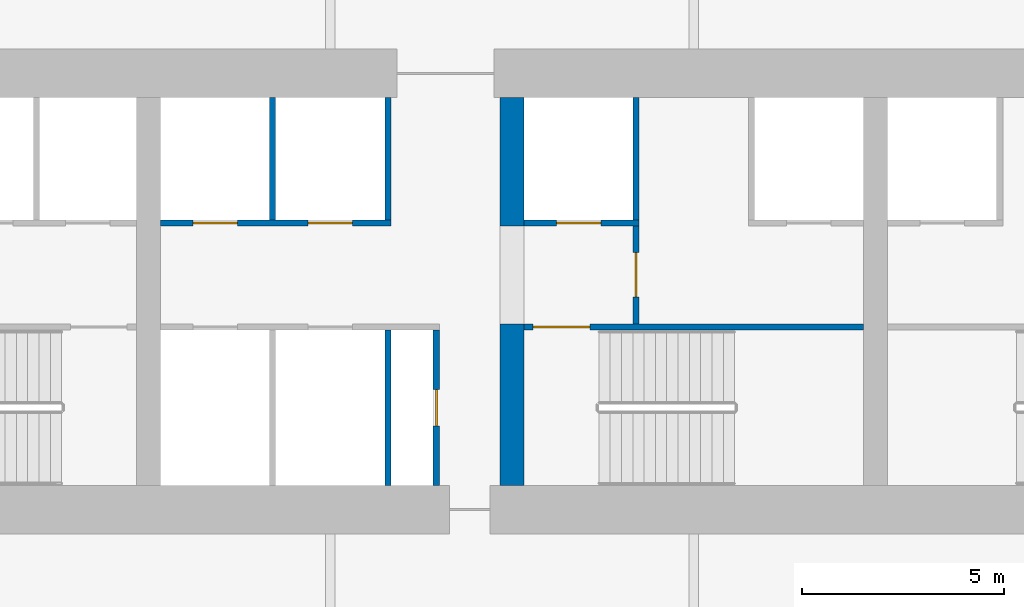
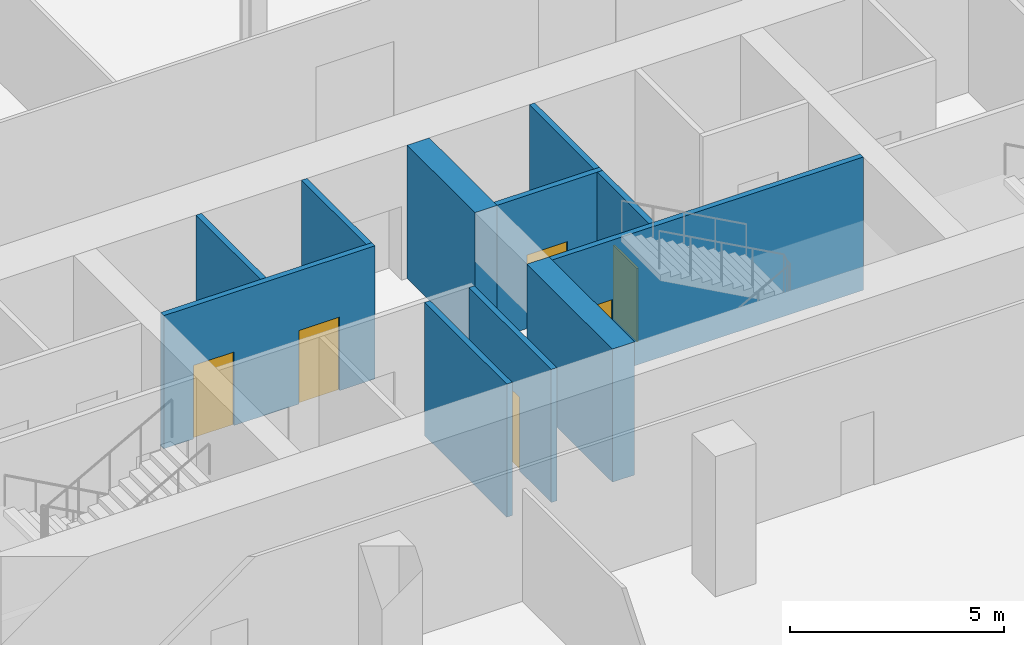
# One storey, part 4 of 11: 11 walls, 6 doors, 6 openings.
"""IFC4 building model written with IfcOpenShell, lengths in metres."""

from ifc_helpers import new_model, si_unit, direction, frame, frame_2d, origin, place, context, subcontext, project, spatial, rectangle, extrude, material, layer, layer_set, type_object, element, fill, save


model = new_model("IFC4")

# Units and contexts
model_context = context("Model", 3, precision=1e-05, world=origin(), true_north=direction((0.0, 1.0)))
body_context = subcontext(model_context, "Body", "Model", "MODEL_VIEW")
ifc_project = project(units=[si_unit("LENGTHUNIT", "METRE"), si_unit("AREAUNIT", "SQUARE_METRE"), si_unit("VOLUMEUNIT", "CUBIC_METRE"), si_unit("PLANEANGLEUNIT", "RADIAN"), si_unit("MASSUNIT", "GRAM", prefix="KILO")], contexts=[model_context])

# Site, building, storey
site_placement = place(None, origin())
site = spatial("IfcSite", under=ifc_project, at=site_placement, CompositionType="ELEMENT")
building_placement = place(site_placement, origin())
building = spatial("IfcBuilding", under=site, at=building_placement, Name="Zellij Exchange Tower", CompositionType="ELEMENT")
storey_placement = place(building_placement, frame((0.0, 0.0, 72.5)))
storey = spatial("IfcBuildingStorey", under=building, at=storey_placement, Name="L14", CompositionType="ELEMENT", Elevation=72.5)

# Walls
ifc_material_1 = material(Name="Concrete C70/85", Category="concrete")
ifc_layer_1 = layer(ifc_material_1, 0.60009765625)
ifc_layer_set_1 = layer_set([ifc_layer_1], Name="Concrete C70/85")
wall_type_1 = type_object("IfcWallType", Name="CORE-CW 600 C70/85", PredefinedType="SHEAR", material=ifc_layer_set_1)
wall_1_placement = place(storey_placement, frame((-9.0, -12.800048828125, 0.0), z_axis=(0.0, 0.0, 1.0), x_axis=(0.0, 1.0, 0.0)))
element("IfcWall", 1, at=wall_1_placement, inside=storey, type_object=wall_type_1, Name="Core cross wall pier x -9 a L14", PredefinedType="SHEAR", context=body_context, shape_type="SweptSolid", body=[
    extrude(rectangle(XDim=4.0, YDim=0.60009765625, at=frame_2d((2.0, 0.0))), origin(), (0.0, 0.0, 1.0), 3.800048828125),
])
wall_2_placement = place(storey_placement, frame((-9.0, -6.375, 0.0), z_axis=(0.0, 0.0, 1.0), x_axis=(0.0, 1.0, 0.0)))
element("IfcWall", 2, at=wall_2_placement, inside=storey, type_object=wall_type_1, Name="Core cross wall pier x -9 b L14", PredefinedType="SHEAR", context=body_context, shape_type="SweptSolid", body=[
    extrude(rectangle(XDim=3.175048828125, YDim=0.60009765625, at=frame_2d((1.58740234375, 0.0))), origin(), (0.0, 0.0, 1.0), 3.800048828125),
])

# Wall, opening, door
ifc_material_2 = material(Name="Gypsum shaft wall system")
ifc_layer_2 = layer(ifc_material_2, 0.14990234375)
ifc_layer_set_2 = layer_set([ifc_layer_2], Name="Gypsum shaft wall system")
wall_type_2 = type_object("IfcWallType", Name="CORE-PW 150 Firefighting lobby wall", PredefinedType="PARTITIONING", material=ifc_layer_set_2)
wall_3_placement = place(storey_placement, frame((-5.925048828125, -8.800048828125, 0.0), z_axis=(0.0, 0.0, 1.0), x_axis=(0.0, 1.0, 0.0)))
wall_3 = element("IfcWall", 3, at=wall_3_placement, inside=storey, type_object=wall_type_2, Name="Firefighting lobby wall L14", PredefinedType="PARTITIONING", context=body_context, shape_type="SweptSolid", body=[
    extrude(rectangle(XDim=2.425048828125, YDim=0.14990234375, at=frame_2d((1.21240234375, 0.0))), origin(), (0.0, 0.0, 1.0), 3.800048828125),
])
opening_1_placement = place(wall_3_placement, frame((0.662109375, 0.0, 0.0)))
opening_1 = element("IfcOpeningElement", 4, at=opening_1_placement, cuts=wall_3, Name="Opening CA-08.15", PredefinedType="OPENING", context=body_context, shape_type="SweptSolid", body=[
    extrude(rectangle(XDim=1.10009765625, YDim=2.10009765625, at=frame_2d((0.550048828125, 1.050048828125))), frame((0.0, 0.0869140625, 0.0), z_axis=(0.0, -1.0, 0.0), x_axis=(1.0, 0.0, 0.0)), (0.0, 0.0, 1.0), 0.173828125),
])
ifc_material_3 = material(Name="Hollow metal fire door")
door_type_1 = type_object("IfcDoorType", Name="CORE-D F Firefighting lobby door 1100x2100 1 HR", OperationType="NOTDEFINED", PredefinedType="DOOR", material=ifc_material_3)
door_1_placement = place(opening_1_placement, origin())
door_1 = element("IfcDoor", 5, at=door_1_placement, inside=storey, type_object=door_type_1, Name="Firefighting lobby door CA-08.15", OperationType="SINGLE_SWING_LEFT", OverallHeight=2.10009765625, OverallWidth=1.10009765625, PredefinedType="DOOR", context=body_context, shape_type="SweptSolid", body=[
    extrude(rectangle(XDim=1.10009765625, YDim=2.10009765625, at=frame_2d((0.550048828125, 1.050048828125))), frame((0.0, 0.02490234375, 0.0), z_axis=(0.0, -1.0, 0.0), x_axis=(1.0, 0.0, 0.0)), (0.0, 0.0, 1.0), 0.050048828125),
])
fill(opening_1, door_1)

ifc_material_4 = material(Name="Gypsum board partition")
ifc_layer_3 = layer(ifc_material_4, 0.14990234375)
ifc_layer_set_3 = layer_set([ifc_layer_3], Name="Gypsum board partition")
wall_type_3 = type_object("IfcWallType", Name="CORE-PW 150 Lift lobby wall", PredefinedType="PARTITIONING", material=ifc_layer_set_3)
wall_4_placement = place(storey_placement, frame((-10.875, -12.800048828125, 0.0), z_axis=(0.0, 0.0, 1.0), x_axis=(0.0, 1.0, 0.0)))
wall_4 = element("IfcWall", 6, at=wall_4_placement, inside=storey, type_object=wall_type_3, Name="Lift lobby wall L14", PredefinedType="PARTITIONING", context=body_context, shape_type="SweptSolid", body=[
    extrude(rectangle(XDim=3.85009765625, YDim=0.14990234375, at=frame_2d((1.925048828125, 0.0))), origin(), (0.0, 0.0, 1.0), 3.800048828125),
])
opening_2_placement = place(wall_4_placement, frame((1.47509765625, 0.0, 0.0)))
opening_2 = element("IfcOpeningElement", 7, at=opening_2_placement, cuts=wall_4, Name="Opening CA-08.10", PredefinedType="OPENING", context=body_context, shape_type="SweptSolid", body=[
    extrude(rectangle(XDim=0.89990234375, YDim=2.10009765625, at=frame_2d((0.449951171875, 1.050048828125))), frame((0.0, 0.0869140625, 0.0), z_axis=(0.0, -1.0, 0.0), x_axis=(1.0, 0.0, 0.0)), (0.0, 0.0, 1.0), 0.173828125),
])
door_type_2 = type_object("IfcDoorType", Name="CORE-D RD Riser door 900x2100 1.5 HR", OperationType="NOTDEFINED", PredefinedType="DOOR", material=ifc_material_3)
door_2_placement = place(opening_2_placement, origin())
door_2 = element("IfcDoor", 8, at=door_2_placement, inside=storey, type_object=door_type_2, Name="Riser door CA-08.10", OperationType="SINGLE_SWING_RIGHT", OverallHeight=2.10009765625, OverallWidth=0.89990234375, PredefinedType="DOOR", context=body_context, shape_type="SweptSolid", body=[
    extrude(rectangle(XDim=0.89990234375, YDim=2.10009765625, at=frame_2d((0.449951171875, 1.050048828125))), frame((0.0, 0.02490234375, 0.0), z_axis=(0.0, -1.0, 0.0), x_axis=(1.0, 0.0, 0.0)), (0.0, 0.0, 1.0), 0.050048828125),
])
fill(opening_2, door_2)

# Walls
ifc_layer_4 = layer(ifc_material_2, 0.14990234375)
ifc_layer_set_4 = layer_set([ifc_layer_4], Name="Gypsum shaft wall system")
wall_type_4 = type_object("IfcWallType", Name="CORE-PW 150 Lift shaft wall", PredefinedType="PARTITIONING", material=ifc_layer_set_4)
for number, where, z_axis, x_axis, name in (
    (9, (-12.074951171875, -6.22509765625, 0.0), (0.0, 0.0, 1.0), (0.0, 1.0, 0.0), "Lift shaft wall L14"),
    (10, (-14.925048828125, -6.22509765625, 0.0), (0.0, 0.0, 1.0), (0.0, 1.0, 0.0), "Lift shaft wall L14"),
    (11, (-5.925048828125, -6.22509765625, 0.0), (0.0, 0.0, 1.0), (0.0, 1.0, 0.0), "Lift shaft wall L14"),
):
    element("IfcWall", number, at=place(storey_placement, frame(where, z_axis=z_axis, x_axis=x_axis)), inside=storey, type_object=wall_type_4, Name=name, PredefinedType="PARTITIONING", context=body_context, shape_type="SweptSolid", body=[
        extrude(rectangle(XDim=3.025146484375, YDim=0.14990234375, at=frame_2d((1.5126953125, 0.0))), origin(), (0.0, 0.0, 1.0), 3.800048828125),
    ])
wall_5_placement = place(storey_placement, frame((-12.074951171875, -12.800048828125, 0.0), z_axis=(0.0, 0.0, 1.0), x_axis=(0.0, 1.0, 0.0)))
element("IfcWall", 12, at=wall_5_placement, inside=storey, type_object=wall_type_4, Name="Lift shaft wall L14", PredefinedType="PARTITIONING", context=body_context, shape_type="SweptSolid", body=[
    extrude(rectangle(XDim=3.85009765625, YDim=0.14990234375, at=frame_2d((1.925048828125, 0.0))), origin(), (0.0, 0.0, 1.0), 3.800048828125),
])

# Wall, openings, doors
wall_6_placement = place(storey_placement, frame((-17.699951171875, -6.300048828125, 0.0), z_axis=(0.0, 0.0, 1.0), x_axis=(1.0, 0.0, 0.0)))
wall_6 = element("IfcWall", 13, at=wall_6_placement, inside=storey, type_object=wall_type_4, Name="Lift shaft wall L14", PredefinedType="PARTITIONING", context=body_context, shape_type="SweptSolid", body=[
    extrude(rectangle(XDim=5.699951171875, YDim=0.14990234375, at=frame_2d((2.85009765625, 0.0))), origin(), (0.0, 0.0, 1.0), 3.800048828125),
])
opening_3_placement = place(wall_6_placement, frame((0.800048828125, 0.0, 0.0)))
opening_3 = element("IfcOpeningElement", 14, at=opening_3_placement, cuts=wall_6, Name="Opening CA-08.07", PredefinedType="OPENING", context=body_context, shape_type="SweptSolid", body=[
    extrude(rectangle(XDim=1.10009765625, YDim=2.10009765625, at=frame_2d((0.550048828125, 1.050048828125))), frame((0.0, 0.0869140625, 0.0), z_axis=(0.0, -1.0, 0.0), x_axis=(1.0, 0.0, 0.0)), (0.0, 0.0, 1.0), 0.173828125),
])
opening_4_placement = place(wall_6_placement, frame((3.64990234375, 0.0, 0.0)))
opening_4 = element("IfcOpeningElement", 15, at=opening_4_placement, cuts=wall_6, Name="Opening CA-08.09", PredefinedType="OPENING", context=body_context, shape_type="SweptSolid", body=[
    extrude(rectangle(XDim=1.10009765625, YDim=2.10009765625, at=frame_2d((0.550048828125, 1.050048828125))), frame((0.0, 0.0869140625, 0.0), z_axis=(0.0, -1.0, 0.0), x_axis=(1.0, 0.0, 0.0)), (0.0, 0.0, 1.0), 0.173828125),
])
door_type_3 = type_object("IfcDoorType", Name="CORE-D LD Lift landing door 1100x2100 1.5 HR", OperationType="NOTDEFINED", PredefinedType="DOOR", material=ifc_material_3)
door_3_placement = place(opening_3_placement, origin())
door_3 = element("IfcDoor", 16, at=door_3_placement, inside=storey, type_object=door_type_3, Name="Lift landing door CA-08.07", OperationType="SLIDING_TO_LEFT", OverallHeight=2.10009765625, OverallWidth=1.10009765625, PredefinedType="DOOR", context=body_context, shape_type="SweptSolid", body=[
    extrude(rectangle(XDim=1.10009765625, YDim=2.10009765625, at=frame_2d((0.550048828125, 1.050048828125))), frame((0.0, 0.02490234375, 0.0), z_axis=(0.0, -1.0, 0.0), x_axis=(1.0, 0.0, 0.0)), (0.0, 0.0, 1.0), 0.050048828125),
])
fill(opening_3, door_3)
door_4_placement = place(opening_4_placement, origin())
door_4 = element("IfcDoor", 17, at=door_4_placement, inside=storey, type_object=door_type_3, Name="Lift landing door CA-08.09", OperationType="SLIDING_TO_LEFT", OverallHeight=2.10009765625, OverallWidth=1.10009765625, PredefinedType="DOOR", context=body_context, shape_type="SweptSolid", body=[
    extrude(rectangle(XDim=1.10009765625, YDim=2.10009765625, at=frame_2d((0.550048828125, 1.050048828125))), frame((0.0, 0.02490234375, 0.0), z_axis=(0.0, -1.0, 0.0), x_axis=(1.0, 0.0, 0.0)), (0.0, 0.0, 1.0), 0.050048828125),
])
fill(opening_4, door_4)

# Wall, opening, door
wall_7_placement = place(storey_placement, frame((-8.699951171875, -6.300048828125, 0.0), z_axis=(0.0, 0.0, 1.0), x_axis=(1.0, 0.0, 0.0)))
wall_7 = element("IfcWall", 18, at=wall_7_placement, inside=storey, type_object=wall_type_4, Name="Lift shaft wall L14", PredefinedType="PARTITIONING", context=body_context, shape_type="SweptSolid", body=[
    extrude(rectangle(XDim=2.849853515625, YDim=0.14990234375, at=frame_2d((1.4248046875, 0.0))), origin(), (0.0, 0.0, 1.0), 3.800048828125),
])
opening_5_placement = place(wall_7_placement, frame((0.800048828125, 0.0, 0.0)))
opening_5 = element("IfcOpeningElement", 19, at=opening_5_placement, cuts=wall_7, Name="Opening CA-08.14", PredefinedType="OPENING", context=body_context, shape_type="SweptSolid", body=[
    extrude(rectangle(XDim=1.10009765625, YDim=2.10009765625, at=frame_2d((0.550048828125, 1.050048828125))), frame((0.0, 0.0869140625, 0.0), z_axis=(0.0, -1.0, 0.0), x_axis=(1.0, 0.0, 0.0)), (0.0, 0.0, 1.0), 0.173828125),
])
door_5_placement = place(opening_5_placement, origin())
door_5 = element("IfcDoor", 20, at=door_5_placement, inside=storey, type_object=door_type_3, Name="Lift landing door CA-08.14", OperationType="SLIDING_TO_RIGHT", OverallHeight=2.10009765625, OverallWidth=1.10009765625, PredefinedType="DOOR", context=body_context, shape_type="SweptSolid", body=[
    extrude(rectangle(XDim=1.10009765625, YDim=2.10009765625, at=frame_2d((0.550048828125, 1.050048828125))), frame((0.0, 0.02490234375, 0.0), z_axis=(0.0, -1.0, 0.0), x_axis=(1.0, 0.0, 0.0)), (0.0, 0.0, 1.0), 0.050048828125),
])
fill(opening_5, door_5)

ifc_layer_5 = layer(ifc_material_1, 0.14990234375)
ifc_layer_set_5 = layer_set([ifc_layer_5], Name="Concrete C70/85")
wall_type_5 = type_object("IfcWallType", Name="CORE-SWS 150 C70/85", PredefinedType="SHEAR", material=ifc_layer_set_5)
wall_8_placement = place(storey_placement, frame((-8.699951171875, -8.875, 0.0), z_axis=(0.0, 0.0, 1.0), x_axis=(1.0, 0.0, 0.0)))
wall_8 = element("IfcWall", 21, at=wall_8_placement, inside=storey, type_object=wall_type_5, Name="Stair enclosure wall L14", PredefinedType="SHEAR", context=body_context, shape_type="SweptSolid", body=[
    extrude(rectangle(XDim=8.39990234375, YDim=0.14990234375, at=frame_2d((4.199951171875, 0.0))), origin(), (0.0, 0.0, 1.0), 3.800048828125),
])
opening_6_placement = place(wall_8_placement, frame((0.22509765625, 0.0, 0.0)))
opening_6 = element("IfcOpeningElement", 22, at=opening_6_placement, cuts=wall_8, Name="Opening CA-08.13", PredefinedType="OPENING", context=body_context, shape_type="SweptSolid", body=[
    extrude(rectangle(XDim=1.39990234375, YDim=2.10009765625, at=frame_2d((0.699951171875, 1.050048828125))), frame((0.0, 0.0869140625, 0.0), z_axis=(0.0, -1.0, 0.0), x_axis=(1.0, 0.0, 0.0)), (0.0, 0.0, 1.0), 0.173828125),
])
door_type_4 = type_object("IfcDoorType", Name="CORE-D SD Stair door 1400x2100 1.5 HR", OperationType="NOTDEFINED", PredefinedType="DOOR", material=ifc_material_3)
door_6_placement = place(opening_6_placement, origin())
door_6 = element("IfcDoor", 23, at=door_6_placement, inside=storey, type_object=door_type_4, Name="Stair door CA-08.13", OperationType="DOUBLE_DOOR_SINGLE_SWING", OverallHeight=2.10009765625, OverallWidth=1.39990234375, PredefinedType="DOOR", context=body_context, shape_type="SweptSolid", body=[
    extrude(rectangle(XDim=1.39990234375, YDim=2.10009765625, at=frame_2d((0.699951171875, 1.050048828125))), frame((0.0, 0.02490234375, 0.0), z_axis=(0.0, -1.0, 0.0), x_axis=(1.0, 0.0, 0.0)), (0.0, 0.0, 1.0), 0.050048828125),
])
fill(opening_6, door_6)

save(model, "model.ifc")
